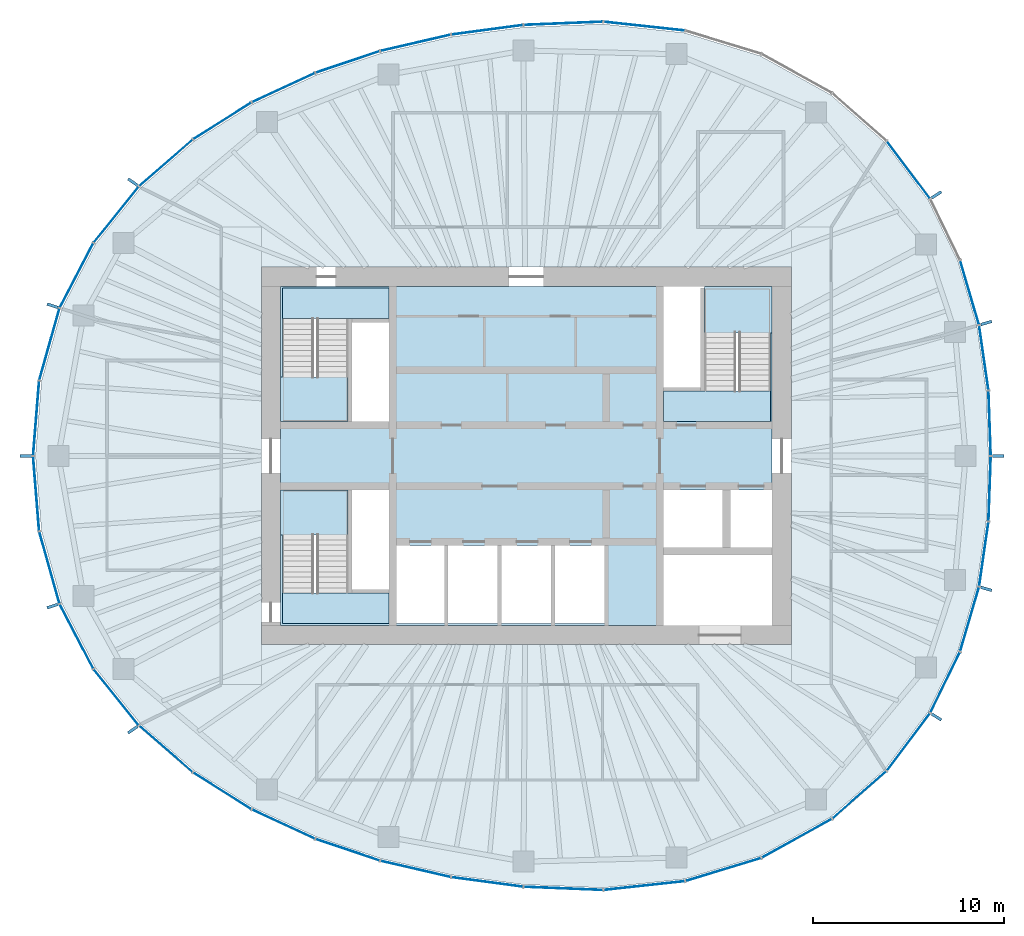
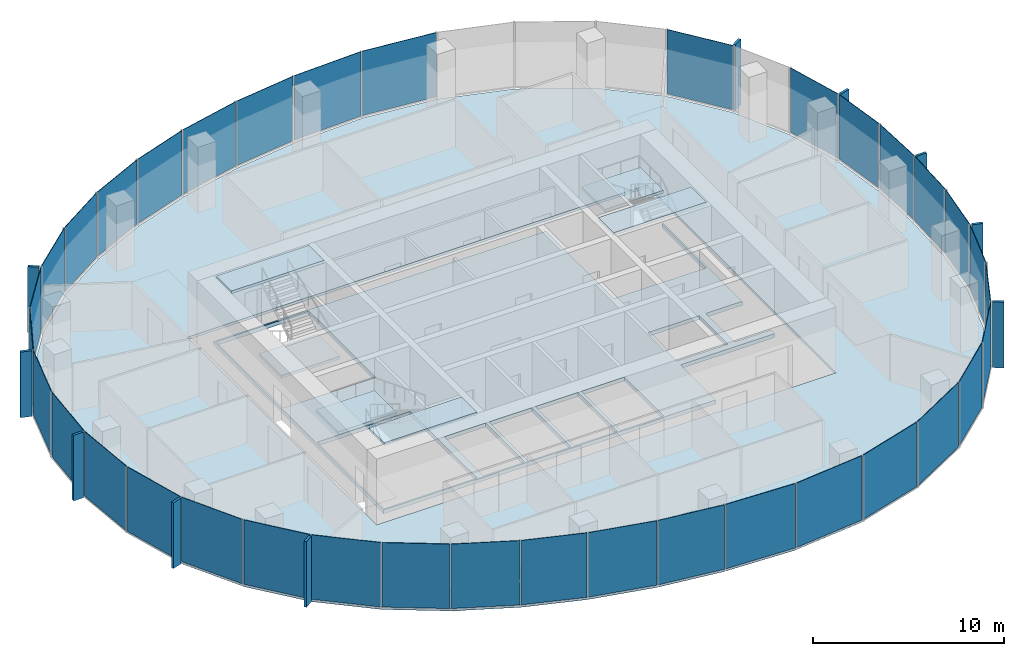
# One storey, part 7 of 11: 46 plates, 8 slabs, 22 elements without a shape of their own.
"""IFC4 building model written with IfcOpenShell, lengths in metres."""

from ifc_helpers import new_model, si_unit, direction, frame, origin, origin_2d, place, context, subcontext, project, spatial, polyline, rectangle, outline, extrude, material, layer, layer_set, type_object, element, aggregate, save


model = new_model("IFC4")

# Units and contexts
model_context = context("Model", 3, precision=1e-05, world=origin(), true_north=direction((0.0, 1.0)))
body_context = subcontext(model_context, "Body", "Model", "MODEL_VIEW")
ifc_project = project(units=[si_unit("LENGTHUNIT", "METRE"), si_unit("AREAUNIT", "SQUARE_METRE"), si_unit("VOLUMEUNIT", "CUBIC_METRE"), si_unit("PLANEANGLEUNIT", "RADIAN"), si_unit("MASSUNIT", "GRAM", prefix="KILO")], contexts=[model_context])

# Site, building, storey
site_placement = place(None, origin())
site = spatial("IfcSite", under=ifc_project, at=site_placement, CompositionType="ELEMENT")
building_placement = place(site_placement, origin())
building = spatial("IfcBuilding", under=site, at=building_placement, Name="Ghaith Harvest Tower", CompositionType="ELEMENT")
storey_placement = place(building_placement, frame((0.0, 0.0, 288.0)))
storey = spatial("IfcBuildingStorey", under=building, at=storey_placement, Name="L64", CompositionType="ELEMENT", Elevation=288.0)

# Curtain wall, plates
ifc_material_1 = material(Name="Black anodised aluminium and fritted glass", Category="aluminium")
curtain_wall_type = type_object("IfcCurtainWallType", Name="CW-T CURTAIN WALL", PredefinedType="NOTDEFINED", material=ifc_material_1)
curtain_wall_1_placement = place(storey_placement, origin())
curtain_wall_1 = element("IfcCurtainWall", 1, at=curtain_wall_1_placement, inside=storey, type_object=curtain_wall_type, Name="Curtain wall CW-T bay 01 L64", PredefinedType="NOTDEFINED")
ifc_material_2 = material(Name="Glass, dark solar-control fritted double glazed unit", Category="glass")
ifc_layer_1 = layer(ifc_material_2, 0.033935546875)
ifc_layer_set_1 = layer_set([ifc_layer_1], Name="CW-T VISION PANEL")
plate_type_1 = type_object("IfcPlateType", Name="CW-T VISION PANEL", PredefinedType="CURTAIN_PANEL", material=ifc_layer_set_1)
plate_1_placement = place(storey_placement, frame((24.308837890625, 1.716796875, 0.079833984375), z_axis=(0.0, 0.0, 1.0), x_axis=(-0.035536161859, 0.999368391135, 0.0)))
plate_1 = element("IfcPlate", 2, at=plate_1_placement, type_object=plate_type_1, Name="CW-T glass unit 1 bay 01 L64", PredefinedType="CURTAIN_PANEL", context=body_context, shape_type="SweptSolid", body=[
    extrude(rectangle(XDim=3.35595703125, YDim=0.033935546875, at=origin_2d()), origin(), (0.0, 0.0, 1.0), 4.1201171875),
])
plate_2_placement = place(storey_placement, frame((24.00048828125, 5.1494140625, 0.079833984375), z_axis=(0.0, 0.0, 1.0), x_axis=(-0.142729771229, 0.989761694755, 0.0)))
plate_2 = element("IfcPlate", 3, at=plate_2_placement, type_object=plate_type_1, Name="CW-T glass unit 2 bay 01 L64", PredefinedType="CURTAIN_PANEL", context=body_context, shape_type="SweptSolid", body=[
    extrude(rectangle(XDim=3.38671875, YDim=0.033935546875, at=origin_2d()), origin(), (0.0, 0.0, 1.0), 4.1201171875),
])
aggregate(curtain_wall_1, [plate_1, plate_2])

# Curtain wall, plate
curtain_wall_2_placement = place(storey_placement, origin())
curtain_wall_2 = element("IfcCurtainWall", 4, at=curtain_wall_2_placement, inside=storey, type_object=curtain_wall_type, Name="Curtain wall CW-T bay 02 L64", PredefinedType="NOTDEFINED")
plate_3_placement = place(storey_placement, frame((23.253662109375, 8.56884765625, 0.079833984375), z_axis=(0.0, 0.0, 1.0), x_axis=(-0.281344622776, 0.959606796159, 0.0)))
plate_3 = element("IfcPlate", 5, at=plate_3_placement, type_object=plate_type_1, Name="CW-T glass unit 1 bay 02 L64", PredefinedType="CURTAIN_PANEL", context=body_context, shape_type="SweptSolid", body=[
    extrude(rectangle(XDim=3.470703125, YDim=0.033935546875, at=origin_2d()), origin(), (0.0, 0.0, 1.0), 4.1201171875),
])
aggregate(curtain_wall_2, [plate_3])

curtain_wall_3_placement = place(storey_placement, origin())
curtain_wall_3 = element("IfcCurtainWall", 6, at=curtain_wall_3_placement, inside=storey, type_object=curtain_wall_type, Name="Curtain wall CW-T bay 03 L64", PredefinedType="NOTDEFINED")
plate_4_placement = place(storey_placement, frame((20.045166015625, 15.006103515625, 0.079833984375), z_axis=(0.0, 0.0, 1.0), x_axis=(-0.601047892764, 0.799213007029, 0.0)))
plate_4 = element("IfcPlate", 7, at=plate_4_placement, type_object=plate_type_1, Name="CW-T glass unit 1 bay 03 L64", PredefinedType="CURTAIN_PANEL", context=body_context, shape_type="SweptSolid", body=[
    extrude(rectangle(XDim=3.7265625, YDim=0.033935546875, at=origin_2d()), origin(), (0.0, 0.0, 1.0), 4.1201171875),
])
aggregate(curtain_wall_3, [plate_4])

# Curtain wall, plates
curtain_wall_4_placement = place(storey_placement, origin())
curtain_wall_4 = element("IfcCurtainWall", 8, at=curtain_wall_4_placement, inside=storey, type_object=curtain_wall_type, Name="Curtain wall CW-T bay 05 L64", PredefinedType="NOTDEFINED")
plate_5_placement = place(storey_placement, frame((6.188720703125, 22.542724609375, 0.079833984375), z_axis=(0.0, 0.0, 1.0), x_axis=(-0.994142883447, 0.108073712304, 0.0)))
plate_5 = element("IfcPlate", 9, at=plate_5_placement, type_object=plate_type_1, Name="CW-T glass unit 1 bay 05 L64", PredefinedType="CURTAIN_PANEL", context=body_context, shape_type="SweptSolid", body=[
    extrude(rectangle(XDim=4.24755859375, YDim=0.033935546875, at=origin_2d()), origin(), (0.0, 0.0, 1.0), 4.1201171875),
])
plate_6_placement = place(storey_placement, frame((1.94140625, 22.691162109375, 0.079833984375), z_axis=(0.0, 0.0, 1.0), x_axis=(-0.999173925852, -0.040638231968, 0.0)))
plate_6 = element("IfcPlate", 10, at=plate_6_placement, type_object=plate_type_1, Name="CW-T glass unit 2 bay 05 L64", PredefinedType="CURTAIN_PANEL", context=body_context, shape_type="SweptSolid", body=[
    extrude(rectangle(XDim=4.115966796875, YDim=0.033935546875, at=origin_2d()), origin(), (0.0, 0.0, 1.0), 4.1201171875),
])
aggregate(curtain_wall_4, [plate_5, plate_6])

curtain_wall_5_placement = place(storey_placement, origin())
curtain_wall_5 = element("IfcCurtainWall", 11, at=curtain_wall_5_placement, inside=storey, type_object=curtain_wall_type, Name="Curtain wall CW-T bay 06 L64", PredefinedType="NOTDEFINED")
plate_7_placement = place(storey_placement, frame((-2.050537109375, 22.352294921875, 0.079833984375), z_axis=(0.0, 0.0, 1.0), x_axis=(-0.991165262661, -0.132632658474, 0.0)))
plate_7 = element("IfcPlate", 12, at=plate_7_placement, type_object=plate_type_1, Name="CW-T glass unit 1 bay 06 L64", PredefinedType="CURTAIN_PANEL", context=body_context, shape_type="SweptSolid", body=[
    extrude(rectangle(XDim=3.74560546875, YDim=0.033935546875, at=origin_2d()), origin(), (0.0, 0.0, 1.0), 4.1201171875),
])
plate_8_placement = place(storey_placement, frame((-5.80859375, 21.66845703125, 0.079833984375), z_axis=(0.0, 0.0, 1.0), x_axis=(-0.974342245415, -0.225071519297, 0.0)))
plate_8 = element("IfcPlate", 13, at=plate_8_placement, type_object=plate_type_1, Name="CW-T glass unit 2 bay 06 L64", PredefinedType="CURTAIN_PANEL", context=body_context, shape_type="SweptSolid", body=[
    extrude(rectangle(XDim=3.742431640625, YDim=0.033935546875, at=origin_2d()), origin(), (0.0, 0.0, 1.0), 4.1201171875),
])
aggregate(curtain_wall_5, [plate_7, plate_8])

curtain_wall_6_placement = place(storey_placement, origin())
curtain_wall_6 = element("IfcCurtainWall", 14, at=curtain_wall_6_placement, inside=storey, type_object=curtain_wall_type, Name="Curtain wall CW-T bay 07 L64", PredefinedType="NOTDEFINED")
plate_9_placement = place(storey_placement, frame((-9.369140625, 20.665771484375, 0.079833984375), z_axis=(0.0, 0.0, 1.0), x_axis=(-0.947586403329, -0.319499621637, 0.0)))
plate_9 = element("IfcPlate", 15, at=plate_9_placement, type_object=plate_type_1, Name="CW-T glass unit 1 bay 07 L64", PredefinedType="CURTAIN_PANEL", context=body_context, shape_type="SweptSolid", body=[
    extrude(rectangle(XDim=3.50439453125, YDim=0.033935546875, at=origin_2d()), origin(), (0.0, 0.0, 1.0), 4.1201171875),
])
plate_10_placement = place(storey_placement, frame((-12.736083984375, 19.3203125, 0.079833984375), z_axis=(0.0, 0.0, 1.0), x_axis=(-0.907450165401, -0.420159728334, 0.0)))
plate_10 = element("IfcPlate", 16, at=plate_10_placement, type_object=plate_type_1, Name="CW-T glass unit 2 bay 07 L64", PredefinedType="CURTAIN_PANEL", context=body_context, shape_type="SweptSolid", body=[
    extrude(rectangle(XDim=3.597900390625, YDim=0.033935546875, at=origin_2d()), origin(), (0.0, 0.0, 1.0), 4.1201171875),
])
aggregate(curtain_wall_6, [plate_9, plate_10])

curtain_wall_7_placement = place(storey_placement, origin())
curtain_wall_7 = element("IfcCurtainWall", 17, at=curtain_wall_7_placement, inside=storey, type_object=curtain_wall_type, Name="Curtain wall CW-T bay 08 L64", PredefinedType="NOTDEFINED")
plate_11_placement = place(storey_placement, frame((-15.94970703125, 17.57421875, 0.079833984375), z_axis=(0.0, 0.0, 1.0), x_axis=(-0.846043473903, -0.533113909279, 0.0)))
plate_11 = element("IfcPlate", 18, at=plate_11_placement, type_object=plate_type_1, Name="CW-T glass unit 1 bay 08 L64", PredefinedType="CURTAIN_PANEL", context=body_context, shape_type="SweptSolid", body=[
    extrude(rectangle(XDim=3.572021484375, YDim=0.033935546875, at=origin_2d()), origin(), (0.0, 0.0, 1.0), 4.1201171875),
])
plate_12_placement = place(storey_placement, frame((-18.909423828125, 15.371337890625, 0.079833984375), z_axis=(0.0, 0.0, 1.0), x_axis=(-0.754828549513, -0.655922145411, 0.0)))
plate_12 = element("IfcPlate", 19, at=plate_12_placement, type_object=plate_type_1, Name="CW-T glass unit 2 bay 08 L64", PredefinedType="CURTAIN_PANEL", context=body_context, shape_type="SweptSolid", body=[
    extrude(rectangle(XDim=3.668701171875, YDim=0.033935546875, at=origin_2d()), origin(), (0.0, 0.0, 1.0), 4.1201171875),
])
aggregate(curtain_wall_7, [plate_11, plate_12])

curtain_wall_8_placement = place(storey_placement, origin())
curtain_wall_8 = element("IfcCurtainWall", 20, at=curtain_wall_8_placement, inside=storey, type_object=curtain_wall_type, Name="Curtain wall CW-T bay 09 L64", PredefinedType="NOTDEFINED")
plate_13_placement = place(storey_placement, frame((-21.515380859375, 12.6591796875, 0.079833984375), z_axis=(0.0, 0.0, 1.0), x_axis=(-0.626229505742, -0.779638766441, 0.0)))
plate_13 = element("IfcPlate", 21, at=plate_13_placement, type_object=plate_type_1, Name="CW-T glass unit 1 bay 09 L64", PredefinedType="CURTAIN_PANEL", context=body_context, shape_type="SweptSolid", body=[
    extrude(rectangle(XDim=3.723388671875, YDim=0.033935546875, at=origin_2d()), origin(), (0.0, 0.0, 1.0), 4.1201171875),
])
plate_14_placement = place(storey_placement, frame((-23.594482421875, 9.4677734375, 0.079833984375), z_axis=(0.0, 0.0, 1.0), x_axis=(-0.461229945578, -0.887280641794, 0.0)))
plate_14 = element("IfcPlate", 22, at=plate_14_placement, type_object=plate_type_1, Name="CW-T glass unit 2 bay 09 L64", PredefinedType="CURTAIN_PANEL", context=body_context, shape_type="SweptSolid", body=[
    extrude(rectangle(XDim=3.771728515625, YDim=0.033935546875, at=origin_2d()), origin(), (0.0, 0.0, 1.0), 4.1201171875),
])
aggregate(curtain_wall_8, [plate_13, plate_14])

curtain_wall_9_placement = place(storey_placement, origin())
curtain_wall_9 = element("IfcCurtainWall", 23, at=curtain_wall_9_placement, inside=storey, type_object=curtain_wall_type, Name="Curtain wall CW-T bay 10 L64", PredefinedType="NOTDEFINED")
plate_15_placement = place(storey_placement, frame((-25.017333984375, 5.85546875, 0.079833984375), z_axis=(0.0, 0.0, 1.0), x_axis=(-0.270355239749, -0.962760637095, 0.0)))
plate_15 = element("IfcPlate", 24, at=plate_15_placement, type_object=plate_type_1, Name="CW-T glass unit 1 bay 10 L64", PredefinedType="CURTAIN_PANEL", context=body_context, shape_type="SweptSolid", body=[
    extrude(rectangle(XDim=3.874267578125, YDim=0.033935546875, at=origin_2d()), origin(), (0.0, 0.0, 1.0), 4.1201171875),
])
plate_16_placement = place(storey_placement, frame((-25.7109375, 1.97607421875, 0.079833984375), z_axis=(0.0, 0.0, 1.0), x_axis=(-0.080257648011, -0.99677415192, 0.0)))
plate_16 = element("IfcPlate", 25, at=plate_16_placement, type_object=plate_type_1, Name="CW-T glass unit 2 bay 10 L64", PredefinedType="CURTAIN_PANEL", context=body_context, shape_type="SweptSolid", body=[
    extrude(rectangle(XDim=3.884765625, YDim=0.033935546875, at=origin_2d()), origin(), (0.0, 0.0, 1.0), 4.1201171875),
])
aggregate(curtain_wall_9, [plate_15, plate_16])

curtain_wall_10_placement = place(storey_placement, origin())
curtain_wall_10 = element("IfcCurtainWall", 26, at=curtain_wall_10_placement, inside=storey, type_object=curtain_wall_type, Name="Curtain wall CW-T bay 11 L64", PredefinedType="NOTDEFINED")
plate_17_placement = place(storey_placement, frame((-25.7109375, -1.97607421875, 0.079833984375), z_axis=(0.0, 0.0, 1.0), x_axis=(0.080257648324, -0.996774151895, 0.0)))
plate_17 = element("IfcPlate", 27, at=plate_17_placement, type_object=plate_type_1, Name="CW-T glass unit 1 bay 11 L64", PredefinedType="CURTAIN_PANEL", context=body_context, shape_type="SweptSolid", body=[
    extrude(rectangle(XDim=3.884765625, YDim=0.033935546875, at=origin_2d()), origin(), (0.0, 0.0, 1.0), 4.1201171875),
])
plate_18_placement = place(storey_placement, frame((-25.017333984375, -5.85546875, 0.079833984375), z_axis=(0.0, 0.0, 1.0), x_axis=(0.27035523953, -0.962760637157, 0.0)))
plate_18 = element("IfcPlate", 28, at=plate_18_placement, type_object=plate_type_1, Name="CW-T glass unit 2 bay 11 L64", PredefinedType="CURTAIN_PANEL", context=body_context, shape_type="SweptSolid", body=[
    extrude(rectangle(XDim=3.874267578125, YDim=0.033935546875, at=origin_2d()), origin(), (0.0, 0.0, 1.0), 4.1201171875),
])
aggregate(curtain_wall_10, [plate_17, plate_18])

curtain_wall_11_placement = place(storey_placement, origin())
curtain_wall_11 = element("IfcCurtainWall", 29, at=curtain_wall_11_placement, inside=storey, type_object=curtain_wall_type, Name="Curtain wall CW-T bay 12 L64", PredefinedType="NOTDEFINED")
plate_19_placement = place(storey_placement, frame((-23.594482421875, -9.4677734375, 0.079833984375), z_axis=(0.0, 0.0, 1.0), x_axis=(0.461229945377, -0.887280641898, 0.0)))
plate_19 = element("IfcPlate", 30, at=plate_19_placement, type_object=plate_type_1, Name="CW-T glass unit 1 bay 12 L64", PredefinedType="CURTAIN_PANEL", context=body_context, shape_type="SweptSolid", body=[
    extrude(rectangle(XDim=3.771728515625, YDim=0.033935546875, at=origin_2d()), origin(), (0.0, 0.0, 1.0), 4.1201171875),
])
plate_20_placement = place(storey_placement, frame((-21.515380859375, -12.6591796875, 0.079833984375), z_axis=(0.0, 0.0, 1.0), x_axis=(0.626229505565, -0.779638766583, 0.0)))
plate_20 = element("IfcPlate", 31, at=plate_20_placement, type_object=plate_type_1, Name="CW-T glass unit 2 bay 12 L64", PredefinedType="CURTAIN_PANEL", context=body_context, shape_type="SweptSolid", body=[
    extrude(rectangle(XDim=3.723388671875, YDim=0.033935546875, at=origin_2d()), origin(), (0.0, 0.0, 1.0), 4.1201171875),
])
aggregate(curtain_wall_11, [plate_19, plate_20])

curtain_wall_12_placement = place(storey_placement, origin())
curtain_wall_12 = element("IfcCurtainWall", 32, at=curtain_wall_12_placement, inside=storey, type_object=curtain_wall_type, Name="Curtain wall CW-T bay 13 L64", PredefinedType="NOTDEFINED")
plate_21_placement = place(storey_placement, frame((-18.909423828125, -15.371337890625, 0.079833984375), z_axis=(0.0, 0.0, 1.0), x_axis=(0.754828549376, -0.655922145569, 0.0)))
plate_21 = element("IfcPlate", 33, at=plate_21_placement, type_object=plate_type_1, Name="CW-T glass unit 1 bay 13 L64", PredefinedType="CURTAIN_PANEL", context=body_context, shape_type="SweptSolid", body=[
    extrude(rectangle(XDim=3.668701171875, YDim=0.033935546875, at=origin_2d()), origin(), (0.0, 0.0, 1.0), 4.1201171875),
])
plate_22_placement = place(storey_placement, frame((-15.94970703125, -17.57421875, 0.079833984375), z_axis=(0.0, 0.0, 1.0), x_axis=(0.846043474052, -0.533113909042, 0.0)))
plate_22 = element("IfcPlate", 34, at=plate_22_placement, type_object=plate_type_1, Name="CW-T glass unit 2 bay 13 L64", PredefinedType="CURTAIN_PANEL", context=body_context, shape_type="SweptSolid", body=[
    extrude(rectangle(XDim=3.572021484375, YDim=0.033935546875, at=origin_2d()), origin(), (0.0, 0.0, 1.0), 4.1201171875),
])
aggregate(curtain_wall_12, [plate_21, plate_22])

curtain_wall_13_placement = place(storey_placement, origin())
curtain_wall_13 = element("IfcCurtainWall", 35, at=curtain_wall_13_placement, inside=storey, type_object=curtain_wall_type, Name="Curtain wall CW-T bay 14 L64", PredefinedType="NOTDEFINED")
plate_23_placement = place(storey_placement, frame((-12.736083984375, -19.3203125, 0.079833984375), z_axis=(0.0, 0.0, 1.0), x_axis=(0.907450165812, -0.420159727447, 0.0)))
plate_23 = element("IfcPlate", 36, at=plate_23_placement, type_object=plate_type_1, Name="CW-T glass unit 1 bay 14 L64", PredefinedType="CURTAIN_PANEL", context=body_context, shape_type="SweptSolid", body=[
    extrude(rectangle(XDim=3.597900390625, YDim=0.033935546875, at=origin_2d()), origin(), (0.0, 0.0, 1.0), 4.1201171875),
])
plate_24_placement = place(storey_placement, frame((-9.369140625, -20.665771484375, 0.079833984375), z_axis=(0.0, 0.0, 1.0), x_axis=(0.947586403597, -0.319499620843, 0.0)))
plate_24 = element("IfcPlate", 37, at=plate_24_placement, type_object=plate_type_1, Name="CW-T glass unit 2 bay 14 L64", PredefinedType="CURTAIN_PANEL", context=body_context, shape_type="SweptSolid", body=[
    extrude(rectangle(XDim=3.50439453125, YDim=0.033935546875, at=origin_2d()), origin(), (0.0, 0.0, 1.0), 4.1201171875),
])
aggregate(curtain_wall_13, [plate_23, plate_24])

curtain_wall_14_placement = place(storey_placement, origin())
curtain_wall_14 = element("IfcCurtainWall", 38, at=curtain_wall_14_placement, inside=storey, type_object=curtain_wall_type, Name="Curtain wall CW-T bay 15 L64", PredefinedType="NOTDEFINED")
plate_25_placement = place(storey_placement, frame((-5.80859375, -21.66845703125, 0.079833984375), z_axis=(0.0, 0.0, 1.0), x_axis=(0.974342245521, -0.225071518838, 0.0)))
plate_25 = element("IfcPlate", 39, at=plate_25_placement, type_object=plate_type_1, Name="CW-T glass unit 1 bay 15 L64", PredefinedType="CURTAIN_PANEL", context=body_context, shape_type="SweptSolid", body=[
    extrude(rectangle(XDim=3.742431640625, YDim=0.033935546875, at=origin_2d()), origin(), (0.0, 0.0, 1.0), 4.1201171875),
])
plate_26_placement = place(storey_placement, frame((-2.050537109375, -22.352294921875, 0.079833984375), z_axis=(0.0, 0.0, 1.0), x_axis=(0.991165262684, -0.132632658301, 0.0)))
plate_26 = element("IfcPlate", 40, at=plate_26_placement, type_object=plate_type_1, Name="CW-T glass unit 2 bay 15 L64", PredefinedType="CURTAIN_PANEL", context=body_context, shape_type="SweptSolid", body=[
    extrude(rectangle(XDim=3.74560546875, YDim=0.033935546875, at=origin_2d()), origin(), (0.0, 0.0, 1.0), 4.1201171875),
])
aggregate(curtain_wall_14, [plate_25, plate_26])

curtain_wall_15_placement = place(storey_placement, origin())
curtain_wall_15 = element("IfcCurtainWall", 41, at=curtain_wall_15_placement, inside=storey, type_object=curtain_wall_type, Name="Curtain wall CW-T bay 16 L64", PredefinedType="NOTDEFINED")
plate_27_placement = place(storey_placement, frame((1.94140625, -22.691162109375, 0.079833984375), z_axis=(0.0, 0.0, 1.0), x_axis=(0.999173925863, -0.040638231706, 0.0)))
plate_27 = element("IfcPlate", 42, at=plate_27_placement, type_object=plate_type_1, Name="CW-T glass unit 1 bay 16 L64", PredefinedType="CURTAIN_PANEL", context=body_context, shape_type="SweptSolid", body=[
    extrude(rectangle(XDim=4.115966796875, YDim=0.033935546875, at=origin_2d()), origin(), (0.0, 0.0, 1.0), 4.1201171875),
])
plate_28_placement = place(storey_placement, frame((6.188720703125, -22.542724609375, 0.079833984375), z_axis=(0.0, 0.0, 1.0), x_axis=(0.994142883417, 0.108073712581, 0.0)))
plate_28 = element("IfcPlate", 43, at=plate_28_placement, type_object=plate_type_1, Name="CW-T glass unit 2 bay 16 L64", PredefinedType="CURTAIN_PANEL", context=body_context, shape_type="SweptSolid", body=[
    extrude(rectangle(XDim=4.24755859375, YDim=0.033935546875, at=origin_2d()), origin(), (0.0, 0.0, 1.0), 4.1201171875),
])
aggregate(curtain_wall_15, [plate_27, plate_28])

curtain_wall_16_placement = place(storey_placement, origin())
curtain_wall_16 = element("IfcCurtainWall", 44, at=curtain_wall_16_placement, inside=storey, type_object=curtain_wall_type, Name="Curtain wall CW-T bay 17 L64", PredefinedType="NOTDEFINED")
plate_29_placement = place(storey_placement, frame((10.337158203125, -21.700439453125, 0.079833984375), z_axis=(0.0, 0.0, 1.0), x_axis=(0.956587736012, 0.291444511548, 0.0)))
plate_29 = element("IfcPlate", 45, at=plate_29_placement, type_object=plate_type_1, Name="CW-T glass unit 1 bay 17 L64", PredefinedType="CURTAIN_PANEL", context=body_context, shape_type="SweptSolid", body=[
    extrude(rectangle(XDim=4.095703125, YDim=0.033935546875, at=origin_2d()), origin(), (0.0, 0.0, 1.0), 4.1201171875),
])
plate_30_placement = place(storey_placement, frame((14.19189453125, -20.06201171875, 0.079833984375), z_axis=(0.0, 0.0, 1.0), x_axis=(0.874564022715, 0.484910064004, 0.0)))
plate_30 = element("IfcPlate", 46, at=plate_30_placement, type_object=plate_type_1, Name="CW-T glass unit 2 bay 17 L64", PredefinedType="CURTAIN_PANEL", context=body_context, shape_type="SweptSolid", body=[
    extrude(rectangle(XDim=4.167724609375, YDim=0.033935546875, at=origin_2d()), origin(), (0.0, 0.0, 1.0), 4.1201171875),
])
aggregate(curtain_wall_16, [plate_29, plate_30])

curtain_wall_17_placement = place(storey_placement, origin())
curtain_wall_17 = element("IfcCurtainWall", 47, at=curtain_wall_17_placement, inside=storey, type_object=curtain_wall_type, Name="Curtain wall CW-T bay 18 L64", PredefinedType="NOTDEFINED")
plate_31_placement = place(storey_placement, frame((17.47509765625, -17.779541015625, 0.079833984375), z_axis=(0.0, 0.0, 1.0), x_axis=(0.751334532577, 0.659921525757, 0.0)))
plate_31 = element("IfcPlate", 48, at=plate_31_placement, type_object=plate_type_1, Name="CW-T glass unit 1 bay 18 L64", PredefinedType="CURTAIN_PANEL", context=body_context, shape_type="SweptSolid", body=[
    extrude(rectangle(XDim=3.7158203125, YDim=0.033935546875, at=origin_2d()), origin(), (0.0, 0.0, 1.0), 4.1201171875),
])
plate_32_placement = place(storey_placement, frame((20.045166015625, -15.006103515625, 0.079833984375), z_axis=(0.0, 0.0, 1.0), x_axis=(0.601047892945, 0.799213006892, 0.0)))
plate_32 = element("IfcPlate", 49, at=plate_32_placement, type_object=plate_type_1, Name="CW-T glass unit 2 bay 18 L64", PredefinedType="CURTAIN_PANEL", context=body_context, shape_type="SweptSolid", body=[
    extrude(rectangle(XDim=3.7265625, YDim=0.033935546875, at=origin_2d()), origin(), (0.0, 0.0, 1.0), 4.1201171875),
])
aggregate(curtain_wall_17, [plate_31, plate_32])

curtain_wall_18_placement = place(storey_placement, origin())
curtain_wall_18 = element("IfcCurtainWall", 50, at=curtain_wall_18_placement, inside=storey, type_object=curtain_wall_type, Name="Curtain wall CW-T bay 19 L64", PredefinedType="NOTDEFINED")
plate_33_placement = place(storey_placement, frame((21.9716796875, -11.878662109375, 0.079833984375), z_axis=(0.0, 0.0, 1.0), x_axis=(0.437968365352, 0.898990384237, 0.0)))
plate_33 = element("IfcPlate", 51, at=plate_33_placement, type_object=plate_type_1, Name="CW-T glass unit 1 bay 19 L64", PredefinedType="CURTAIN_PANEL", context=body_context, shape_type="SweptSolid", body=[
    extrude(rectangle(XDim=3.49365234375, YDim=0.033935546875, at=origin_2d()), origin(), (0.0, 0.0, 1.0), 4.1201171875),
])
plate_34_placement = place(storey_placement, frame((23.253662109375, -8.56884765625, 0.079833984375), z_axis=(0.0, 0.0, 1.0), x_axis=(0.281344622977, 0.9596067961, 0.0)))
plate_34 = element("IfcPlate", 52, at=plate_34_placement, type_object=plate_type_1, Name="CW-T glass unit 2 bay 19 L64", PredefinedType="CURTAIN_PANEL", context=body_context, shape_type="SweptSolid", body=[
    extrude(rectangle(XDim=3.470703125, YDim=0.033935546875, at=origin_2d()), origin(), (0.0, 0.0, 1.0), 4.1201171875),
])
aggregate(curtain_wall_18, [plate_33, plate_34])

curtain_wall_19_placement = place(storey_placement, origin())
curtain_wall_19 = element("IfcCurtainWall", 53, at=curtain_wall_19_placement, inside=storey, type_object=curtain_wall_type, Name="Curtain wall CW-T bay 20 L64", PredefinedType="NOTDEFINED")
plate_35_placement = place(storey_placement, frame((24.00048828125, -5.1494140625, 0.079833984375), z_axis=(0.0, 0.0, 1.0), x_axis=(0.142729771402, 0.98976169473, 0.0)))
plate_35 = element("IfcPlate", 54, at=plate_35_placement, type_object=plate_type_1, Name="CW-T glass unit 1 bay 20 L64", PredefinedType="CURTAIN_PANEL", context=body_context, shape_type="SweptSolid", body=[
    extrude(rectangle(XDim=3.38671875, YDim=0.033935546875, at=origin_2d()), origin(), (0.0, 0.0, 1.0), 4.1201171875),
])
plate_36_placement = place(storey_placement, frame((24.308837890625, -1.716796875, 0.079833984375), z_axis=(0.0, 0.0, 1.0), x_axis=(0.035536161929, 0.999368391133, 0.0)))
plate_36 = element("IfcPlate", 55, at=plate_36_placement, type_object=plate_type_1, Name="CW-T glass unit 2 bay 20 L64", PredefinedType="CURTAIN_PANEL", context=body_context, shape_type="SweptSolid", body=[
    extrude(rectangle(XDim=3.35595703125, YDim=0.033935546875, at=origin_2d()), origin(), (0.0, 0.0, 1.0), 4.1201171875),
])
aggregate(curtain_wall_19, [plate_35, plate_36])

# Slabs
ifc_material_3 = material(Name="Concrete C40/50", Category="concrete")
ifc_layer_2 = layer(ifc_material_3, 0.169921875)
ifc_layer_set_2 = layer_set([ifc_layer_2], Name="FLOOR SLAB 170")
slab_type_1 = type_object("IfcSlabType", Name="FLOOR SLAB 170", PredefinedType="FLOOR", material=ifc_layer_set_2)
slab_1_placement = place(storey_placement, frame((0.0, 0.0, -0.169921875)))
element("IfcSlab", 56, at=slab_1_placement, inside=storey, type_object=slab_type_1, Name="Floor slab L64", PredefinedType="FLOOR", context=body_context, shape_type="SweptSolid", body=[
    extrude(outline(polyline([(24.25, 0.0), (24.129150390625, 3.4169921875), (23.6376953125, 6.831787109375), (22.644775390625, 10.222900390625), (21.087890625, 13.42041015625), (18.810791015625, 16.4482421875), (15.971923828125, 18.940185546875), (12.273681640625, 20.98828125), (8.2978515625, 22.1962890625), (4.016845703125, 22.658447265625), (-0.15380859375, 22.486083984375), (-3.92529296875, 21.98046875), (-7.6298828125, 21.12548828125), (-11.009521484375, 19.98779296875), (-14.331298828125, 18.452880859375), (-17.40771484375, 16.518310546875), (-20.225830078125, 14.0732421875), (-22.5986328125, 11.12353515625), (-24.368408203125, 7.722900390625), (-25.43310546875, 3.93359375), (-25.75, 0.0), (-25.43310546875, -3.93359375), (-24.368408203125, -7.722900390625), (-22.5986328125, -11.12353515625), (-20.225830078125, -14.0732421875), (-17.40771484375, -16.518310546875), (-14.331298828125, -18.452880859375), (-11.009521484375, -19.98779296875), (-7.6298828125, -21.12548828125), (-3.92529296875, -21.98046875), (-0.15380859375, -22.486083984375), (4.016845703125, -22.658447265625), (8.2978515625, -22.1962890625), (12.273681640625, -20.98828125), (15.971923828125, -18.940185546875), (18.810791015625, -16.4482421875), (21.087890625, -13.42041015625), (22.644775390625, -10.222900390625), (23.6376953125, -6.831787109375), (24.129150390625, -3.4169921875), (24.25, 0.0)]), holes=[polyline([(-13.89990234375, -9.89990234375), (13.89990234375, -9.89990234375), (13.89990234375, 9.89990234375), (-13.89990234375, 9.89990234375), (-13.89990234375, -9.89990234375)])]), origin(), (0.0, 0.0, 1.0), 0.169921875),
])
ifc_material_4 = material(Name="Concrete C40/50", Category="concrete")
ifc_layer_3 = layer(ifc_material_4, 0.25)
ifc_layer_set_3 = layer_set([ifc_layer_3], Name="FLOOR SLAB 250")
slab_type_2 = type_object("IfcSlabType", Name="FLOOR SLAB 250", PredefinedType="FLOOR", material=ifc_layer_set_3)
slab_2_placement = place(storey_placement, frame((0.0, 0.0, -0.25)))
element("IfcSlab", 57, at=slab_2_placement, inside=storey, type_object=slab_type_2, Name="Core slab L64", PredefinedType="FLOOR", context=body_context, shape_type="SweptSolid", body=[
    extrude(outline(polyline([(-12.89990234375, 8.89990234375), (7.199951171875, 8.89990234375), (7.199951171875, 1.800048828125), (12.800048828125, 1.800048828125), (12.800048828125, 6.4599609375), (12.89990234375, 6.4599609375), (12.89990234375, -1.800048828125), (10.699951171875, -1.800048828125), (10.699951171875, -4.800048828125), (12.89990234375, -4.800048828125), (12.89990234375, -5.199951171875), (7.199951171875, -5.199951171875), (7.199951171875, -8.89990234375), (-12.89990234375, -8.89990234375), (-12.89990234375, 8.89990234375)]), holes=[polyline([(-4.300048828125, -4.699951171875), (-6.800048828125, -4.699951171875), (-6.800048828125, -8.800048828125), (-4.300048828125, -8.800048828125), (-4.300048828125, -4.699951171875)]), polyline([(-1.5, -4.699951171875), (-4.10009765625, -4.699951171875), (-4.10009765625, -8.800048828125), (-1.5, -8.800048828125), (-1.5, -4.699951171875)]), polyline([(1.300048828125, -8.800048828125), (1.300048828125, -4.699951171875), (-1.300048828125, -4.699951171875), (-1.300048828125, -8.800048828125), (1.300048828125, -8.800048828125)]), polyline([(4.10009765625, -8.800048828125), (4.10009765625, -4.699951171875), (1.5, -4.699951171875), (1.5, -8.800048828125), (4.10009765625, -8.800048828125)]), polyline([(-7.199951171875, -1.800048828125), (-12.800048828125, -1.800048828125), (-12.800048828125, -8.800048828125), (-7.199951171875, -8.800048828125), (-7.199951171875, -1.800048828125)]), polyline([(10.300048828125, -1.800048828125), (7.199951171875, -1.800048828125), (7.199951171875, -4.800048828125), (10.300048828125, -4.800048828125), (10.300048828125, -1.800048828125)]), polyline([(-12.800048828125, 1.800048828125), (-7.199951171875, 1.800048828125), (-7.199951171875, 8.800048828125), (-12.800048828125, 8.800048828125), (-12.800048828125, 1.800048828125)])]), origin(), (0.0, 0.0, 1.0), 0.25),
])

# Stair, slabs
ifc_material_5 = material(Name="Concrete C40/50, precast", Category="concrete")
stair_type = type_object("IfcStairType", Name="CORE STAIR 24R", PredefinedType="HALF_TURN_STAIR", material=ifc_material_5)
stair_1_placement = place(storey_placement, origin())
stair_1 = element("IfcStair", 58, at=stair_1_placement, inside=storey, type_object=stair_type, Name="Stair ST1 L64", PredefinedType="HALF_TURN_STAIR")
ifc_material_6 = material(Name="Concrete C40/50, precast", Category="concrete")
ifc_layer_4 = layer(ifc_material_6, 0.179931640625)
ifc_layer_set_4 = layer_set([ifc_layer_4], Name="STAIR LANDING 180")
slab_type_3 = type_object("IfcSlabType", Name="STAIR LANDING 180", PredefinedType="LANDING", material=ifc_layer_set_4)
slab_3_placement = place(storey_placement, frame((0.0, 0.0, 1.919921875)))
slab_3 = element("IfcSlab", 59, at=slab_3_placement, type_object=slab_type_3, Name="ST1 landing 1", PredefinedType="LANDING", context=body_context, shape_type="SweptSolid", body=[
    extrude(outline(polyline([(-12.89990234375, 4.139892578125), (-12.89990234375, 1.800048828125), (-9.35009765625, 1.800048828125), (-9.35009765625, 4.139892578125), (-12.89990234375, 4.139892578125)])), origin(), (0.0, 0.0, 1.0), 0.18017578125),
])
slab_4_placement = place(storey_placement, frame((0.0, 0.0, 4.02001953125)))
slab_4 = element("IfcSlab", 60, at=slab_4_placement, type_object=slab_type_3, Name="ST1 landing 2", PredefinedType="LANDING", context=body_context, shape_type="SweptSolid", body=[
    extrude(outline(polyline([(-12.800048828125, 8.800048828125), (-12.800048828125, 7.199951171875), (-7.199951171875, 7.199951171875), (-7.199951171875, 8.800048828125), (-12.800048828125, 8.800048828125)])), origin(), (0.0, 0.0, 1.0), 0.179931640625),
])
aggregate(stair_1, [slab_3, slab_4])

stair_2_placement = place(storey_placement, origin())
stair_2 = element("IfcStair", 61, at=stair_2_placement, inside=storey, type_object=stair_type, Name="Stair ST3 L64", PredefinedType="HALF_TURN_STAIR")
slab_5_placement = place(storey_placement, frame((0.0, 0.0, 1.919921875)))
slab_5 = element("IfcSlab", 62, at=slab_5_placement, type_object=slab_type_3, Name="ST3 landing 1", PredefinedType="LANDING", context=body_context, shape_type="SweptSolid", body=[
    extrude(outline(polyline([(-12.89990234375, -4.139892578125), (-12.89990234375, -1.800048828125), (-9.35009765625, -1.800048828125), (-9.35009765625, -4.139892578125), (-12.89990234375, -4.139892578125)])), origin(), (0.0, 0.0, 1.0), 0.18017578125),
])
slab_6_placement = place(storey_placement, frame((0.0, 0.0, 4.02001953125)))
slab_6 = element("IfcSlab", 63, at=slab_6_placement, type_object=slab_type_3, Name="ST3 landing 2", PredefinedType="LANDING", context=body_context, shape_type="SweptSolid", body=[
    extrude(outline(polyline([(-12.800048828125, -8.800048828125), (-12.800048828125, -7.199951171875), (-7.199951171875, -7.199951171875), (-7.199951171875, -8.800048828125), (-12.800048828125, -8.800048828125)])), origin(), (0.0, 0.0, 1.0), 0.179931640625),
])
aggregate(stair_2, [slab_5, slab_6])

stair_3_placement = place(storey_placement, origin())
stair_3 = element("IfcStair", 64, at=stair_3_placement, inside=storey, type_object=stair_type, Name="Stair ST2 L64", PredefinedType="HALF_TURN_STAIR")
slab_7_placement = place(storey_placement, frame((0.0, 0.0, 1.919921875)))
slab_7 = element("IfcSlab", 65, at=slab_7_placement, type_object=slab_type_3, Name="ST2 landing 1", PredefinedType="LANDING", context=body_context, shape_type="SweptSolid", body=[
    extrude(outline(polyline([(12.89990234375, 6.4599609375), (12.89990234375, 8.89990234375), (9.35009765625, 8.89990234375), (9.35009765625, 6.4599609375), (12.89990234375, 6.4599609375)])), origin(), (0.0, 0.0, 1.0), 0.18017578125),
])
slab_8_placement = place(storey_placement, frame((0.0, 0.0, 4.02001953125)))
slab_8 = element("IfcSlab", 66, at=slab_8_placement, type_object=slab_type_3, Name="ST2 landing 2", PredefinedType="LANDING", context=body_context, shape_type="SweptSolid", body=[
    extrude(outline(polyline([(12.800048828125, 1.800048828125), (12.800048828125, 3.39990234375), (7.199951171875, 3.39990234375), (7.199951171875, 1.800048828125), (12.800048828125, 1.800048828125)])), origin(), (0.0, 0.0, 1.0), 0.179931640625),
])
aggregate(stair_3, [slab_7, slab_8])

# Plates
ifc_material_7 = material(Name="Glassfibre-reinforced concrete", Category="concrete")
ifc_layer_5 = layer(ifc_material_7, 0.14990234375)
ifc_layer_set_5 = layer_set([ifc_layer_5], Name="SUN-BREAKER FIN 600x150")
plate_type_2 = type_object("IfcPlateType", Name="SUN-BREAKER FIN 600x150", PredefinedType="USERDEFINED", material=ifc_layer_set_5)
for number, where, z_axis, x_axis, name in (
    (67, (24.760009765625, 0.0, 0.0), (0.0, 0.0, 1.0), (1.0, 0.0, 0.0), "Sun-breaker fin CW-T 1 bay 01 L64"),
    (68, (24.127685546875, 6.973388671875, 0.0), (0.0, 0.0, 1.0), (0.960680349985, 0.277656739792, 0.0), "Sun-breaker fin CW-T 1 bay 02 L64"),
    (69, (21.51806640625, 13.6943359375, 0.0), (0.0, 0.0, 1.0), (0.843643971464, 0.536903016766, 0.0), "Sun-breaker fin CW-T 1 bay 03 L64"),
    (70, (-20.64453125, 14.364501953125, 0.0), (0.0, 0.0, 1.0), (-0.820845486523, 0.571150319316, 0.0), "Sun-breaker fin CW-T 1 bay 09 L64"),
    (71, (-24.8544921875, 7.876708984375, 0.0), (0.0, 0.0, 1.0), (-0.953273219358, 0.302109531884, 0.0), "Sun-breaker fin CW-T 1 bay 10 L64"),
    (72, (-26.260009765625, 0.0, 0.0), (0.0, 0.0, 1.0), (-1.0, -4.19e-10, 0.0), "Sun-breaker fin CW-T 1 bay 11 L64"),
    (73, (-24.8544921875, -7.876708984375, 0.0), (0.0, 0.0, 1.0), (-0.953273219416, -0.302109531701, 0.0), "Sun-breaker fin CW-T 1 bay 12 L64"),
    (74, (-20.64453125, -14.364501953125, 0.0), (0.0, 0.0, 1.0), (-0.820845486622, -0.571150319173, 0.0), "Sun-breaker fin CW-T 1 bay 13 L64"),
    (75, (21.51806640625, -13.6943359375, 0.0), (0.0, 0.0, 1.0), (0.84364397137, -0.536903016913, 0.0), "Sun-breaker fin CW-T 1 bay 19 L64"),
    (76, (24.127685546875, -6.973388671875, 0.0), (0.0, 0.0, 1.0), (0.960680349932, -0.277656739976, 0.0), "Sun-breaker fin CW-T 1 bay 20 L64"),
):
    element("IfcPlate", number, at=place(storey_placement, frame(where, z_axis=z_axis, x_axis=x_axis)), inside=storey, type_object=plate_type_2, Name=name, ObjectType="SUN-BREAKER FIN", PredefinedType="USERDEFINED", context=body_context, shape_type="SweptSolid", body=[
        extrude(rectangle(XDim=0.60009765625, YDim=0.14990234375, at=origin_2d()), origin(), (0.0, 0.0, 1.0), 4.199951171875),
    ])

save(model, "model.ifc")
